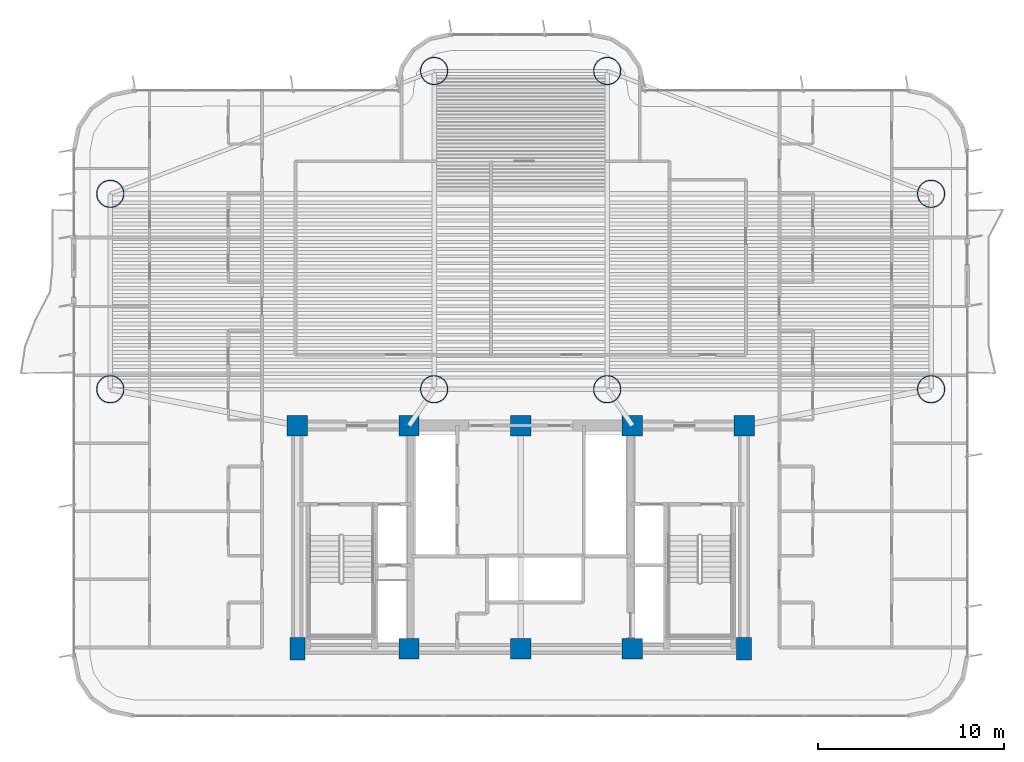
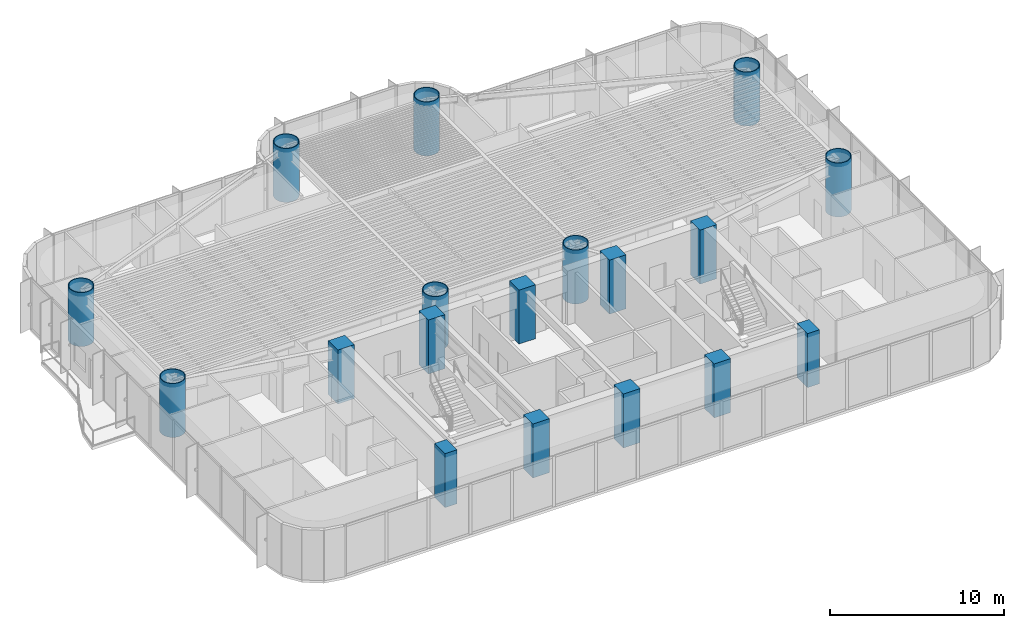
# One storey, part 1 of 19: 18 columns.
"""IFC4 building model written with IfcOpenShell, lengths in metres."""

from ifc_helpers import new_model, si_unit, direction, frame, origin, origin_2d, place, context, subcontext, project, spatial, rectangle, hollow_circle, extrude, source, transform, mapped, material, material_profile, profile_set, type_object, element, save


model = new_model("IFC4")

# Units and contexts
model_context = context("Model", 3, precision=1e-05, world=origin(), true_north=direction((0.0, 1.0)))
body_context = subcontext(model_context, "Body", "Model", "MODEL_VIEW")
ifc_project = project(units=[si_unit("LENGTHUNIT", "METRE"), si_unit("AREAUNIT", "SQUARE_METRE"), si_unit("VOLUMEUNIT", "CUBIC_METRE"), si_unit("PLANEANGLEUNIT", "RADIAN"), si_unit("MASSUNIT", "GRAM", prefix="KILO")], contexts=[model_context])

# Site, building, storey
site_placement = place(None, origin())
site = spatial("IfcSite", under=ifc_project, at=site_placement, CompositionType="ELEMENT")
building_placement = place(site_placement, origin())
building = spatial("IfcBuilding", under=site, at=building_placement, Name="Brelvock Crest Care Tower", CompositionType="ELEMENT")
storey_placement = place(building_placement, frame((0.0, 0.0, 30.780029296875)))
storey = spatial("IfcBuildingStorey", under=building, at=storey_placement, Name="L07", CompositionType="ELEMENT", Elevation=30.780029296875)

# Columns
ifc_material_1 = material(Name="Concrete S80 (80 MPa)", Category="concrete")
ifc_material_profile_1 = material_profile(ifc_material_1, rectangle(XDim=0.800048828125, YDim=1.199951171875, at=origin_2d()), Name="RC800x1200")
ifc_profile_set_1 = profile_set([ifc_material_profile_1], Name="Concrete S80 (80 MPa)")
column_type_1 = type_object("IfcColumnType", Name="COL-RC5", PredefinedType="COLUMN", material=ifc_profile_set_1)
shared_shape_1 = source(origin(), body_context, "Body", "SweptSolid", [
    extrude(rectangle(XDim=0.800048828125, YDim=1.199951171875, at=origin_2d()), origin(), (0.0, 0.0, 1.0), 3.780029296875),
])
for number, where, z_axis, x_axis, name in (
    (1, (24.0, 6.0, 0.0), (0.0, 0.0, 1.0), (1.0, 0.0, 0.0), "L07 Core Column CC-01"),
    (2, (48.0, 6.0, 0.0), (0.0, 0.0, 1.0), (1.0, 0.0, 0.0), "L07 Core Column CC-05"),
):
    element("IfcColumn", number, at=place(storey_placement, frame(where, z_axis=z_axis, x_axis=x_axis)), inside=storey, type_object=column_type_1, Name=name, PredefinedType="COLUMN", context=body_context, shape_type="MappedRepresentation", body=[
        mapped(shared_shape_1, transform((0.0, 0.0, 0.0), x_axis=(1.0, 0.0, 0.0), y_axis=(0.0, 1.0, 0.0), z_axis=(0.0, 0.0, 1.0), scale=1.0)),
    ])
ifc_material_profile_2 = material_profile(ifc_material_1, rectangle(XDim=1.10009765625, YDim=1.10009765625, at=origin_2d()), Name="RC1100x1100")
ifc_profile_set_2 = profile_set([ifc_material_profile_2], Name="Concrete S80 (80 MPa)")
column_type_2 = type_object("IfcColumnType", Name="COL-RC1", PredefinedType="COLUMN", material=ifc_profile_set_2)
shared_shape_2 = source(origin(), body_context, "Body", "SweptSolid", [
    extrude(rectangle(XDim=1.10009765625, YDim=1.10009765625, at=origin_2d()), origin(), (0.0, 0.0, 1.0), 3.780029296875),
])
for number, where, z_axis, x_axis, name in (
    (3, (30.0, 6.0, 0.0), (0.0, 0.0, 1.0), (1.0, 0.0, 0.0), "L07 Core Column CC-02"),
    (4, (36.0, 6.0, 0.0), (0.0, 0.0, 1.0), (1.0, 0.0, 0.0), "L07 Core Column CC-03"),
    (5, (42.0, 6.0, 0.0), (0.0, 0.0, 1.0), (1.0, 0.0, 0.0), "L07 Core Column CC-04"),
    (6, (24.0, 18.0, 0.0), (0.0, 0.0, 1.0), (1.0, 0.0, 0.0), "L07 Core Column CC-06"),
    (7, (30.0, 18.0, 0.0), (0.0, 0.0, 1.0), (1.0, 0.0, 0.0), "L07 Core Column CC-07"),
    (8, (36.0, 18.0, 0.0), (0.0, 0.0, 1.0), (1.0, 0.0, 0.0), "L07 Core Column CC-08"),
    (9, (42.0, 18.0, 0.0), (0.0, 0.0, 1.0), (1.0, 0.0, 0.0), "L07 Core Column CC-09"),
    (10, (48.0, 18.0, 0.0), (0.0, 0.0, 1.0), (1.0, 0.0, 0.0), "L07 Core Column CC-10"),
):
    element("IfcColumn", number, at=place(storey_placement, frame(where, z_axis=z_axis, x_axis=x_axis)), inside=storey, type_object=column_type_2, Name=name, PredefinedType="COLUMN", context=body_context, shape_type="MappedRepresentation", body=[
        mapped(shared_shape_2, transform((0.0, 0.0, 0.0), x_axis=(1.0, 0.0, 0.0), y_axis=(0.0, 1.0, 0.0), z_axis=(0.0, 0.0, 1.0), scale=1.0)),
    ])
ifc_material_2 = material(Name="Steel Grade 350", Category="steel")
ifc_material_profile_3 = material_profile(ifc_material_2, hollow_circle(Radius=0.75, WallThickness=0.050048828125, at=origin_2d()), Name="CFT1500x50")
ifc_profile_set_3 = profile_set([ifc_material_profile_3], Name="Steel Grade 350")
column_type_3 = type_object("IfcColumnType", Name="COL-MC1", PredefinedType="COLUMN", material=ifc_profile_set_3)
shared_shape_3 = source(origin(), body_context, "Body", "SweptSolid", [
    extrude(hollow_circle(Radius=0.75, WallThickness=0.050048828125, at=origin_2d()), origin(), (0.0, 0.0, 1.0), 3.780029296875),
])
for number, where, z_axis, x_axis, name in (
    (11, (13.949951171875, 19.949951171875, 0.0), (0.0, 0.0, 1.0), (1.0, 0.0, 0.0), "L07 Tower Column M1"),
    (12, (13.949951171875, 30.449951171875, 0.0), (0.0, 0.0, 1.0), (1.0, 0.0, 0.0), "L07 Tower Column M2"),
    (13, (58.050048828125, 19.949951171875, 0.0), (0.0, 0.0, 1.0), (1.0, 0.0, 0.0), "L07 Tower Column M3"),
    (14, (58.050048828125, 30.449951171875, 0.0), (0.0, 0.0, 1.0), (1.0, 0.0, 0.0), "L07 Tower Column M4"),
    (15, (31.35009765625, 19.949951171875, 0.0), (0.0, 0.0, 1.0), (1.0, 0.0, 0.0), "L07 Tower Column M5"),
    (16, (40.64990234375, 19.949951171875, 0.0), (0.0, 0.0, 1.0), (1.0, 0.0, 0.0), "L07 Tower Column M6"),
    (17, (31.35009765625, 37.050048828125, 0.0), (0.0, 0.0, 1.0), (1.0, 0.0, 0.0), "L07 Tower Column M7"),
    (18, (40.64990234375, 37.050048828125, 0.0), (0.0, 0.0, 1.0), (1.0, 0.0, 0.0), "L07 Tower Column M8"),
):
    element("IfcColumn", number, at=place(storey_placement, frame(where, z_axis=z_axis, x_axis=x_axis)), inside=storey, type_object=column_type_3, Name=name, PredefinedType="COLUMN", context=body_context, shape_type="MappedRepresentation", body=[
        mapped(shared_shape_3, transform((0.0, 0.0, 0.0), x_axis=(1.0, 0.0, 0.0), y_axis=(0.0, 1.0, 0.0), z_axis=(0.0, 0.0, 1.0), scale=1.0)),
    ])

save(model, "model.ifc")
